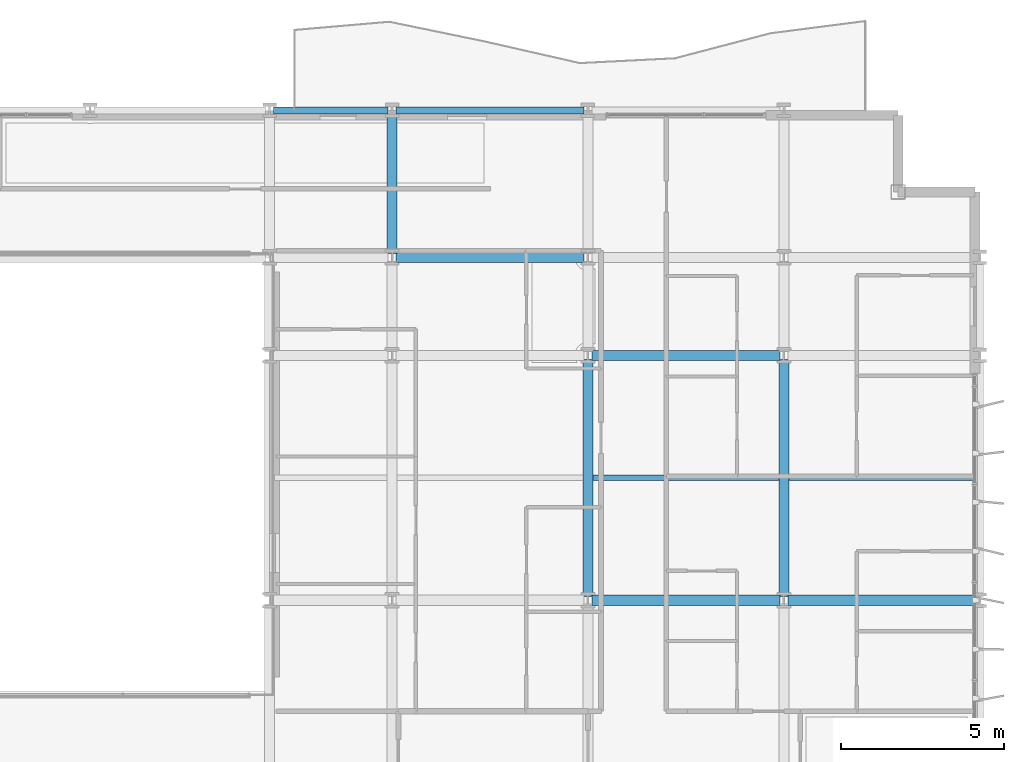
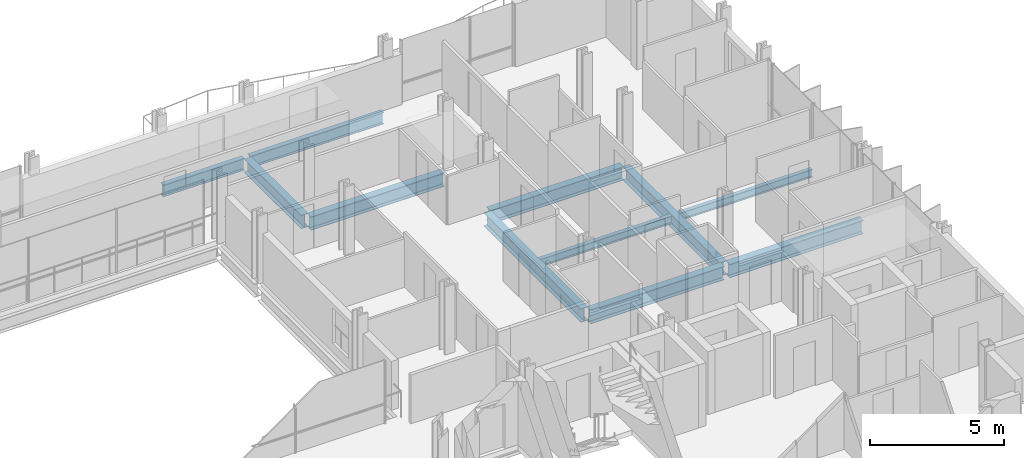
# One storey, part 18 of 38: 11 beams.
"""IFC4 building model written with IfcOpenShell, lengths in metres."""

import ifcopenshell
import ifcopenshell.guid

model = None  # the IFC model being written
_history = None  # IfcOwnerHistory: only IFC2X3 demands one
_inside = {}  # id of a spatial element -> (the spatial element, [elements in it])
_under = {}  # id of a project, library or spatial element -> (it, [spatial elements below it])
_declared = {}  # id of a project -> (the project, [libraries it declares])
_typed = {}  # id of a type object -> (the type object, [elements of that type])
_made_of = {}  # id of a material, layer set ... -> (it, [elements and type objects made of it])


def new_model(schema):
    """Start an empty IFC model of exactly this schema.

    Asked for "IFC4X3", IfcOpenShell would pick the latest addendum, in which some entities
    have other attributes; the version numbers below select the first issue.
    IFC2X3 requires an IfcOwnerHistory on every rooted entity: one is made here for all.
    """
    global model, _history
    if schema == "IFC4X3":
        model = ifcopenshell.file(schema_version=(4, 3, 0, 0))
    else:
        model = ifcopenshell.file(schema=schema)
    _inside.clear()
    _under.clear()
    _declared.clear()
    _typed.clear()
    _made_of.clear()
    _history = None
    if model.schema == "IFC2X3":
        org = make("IfcOrganization", Name="unknown")
        user = make(
            "IfcPersonAndOrganization",
            ThePerson=make("IfcPerson", FamilyName="unknown"),
            TheOrganization=org,
        )
        app = make(
            "IfcApplication",
            ApplicationDeveloper=org,
            Version="unknown",
            ApplicationFullName="unknown",
            ApplicationIdentifier="unknown",
        )
        _history = make(
            "IfcOwnerHistory",
            OwningUser=user,
            OwningApplication=app,
            ChangeAction="ADDED",
            CreationDate=0,
        )
    return model


def make(cls, **values):
    """One entity of the class cls with the attributes given. An attribute that is None is left unset."""
    return model.create_entity(
        cls, **{name: value for name, value in values.items() if value is not None}
    )


def rooted(cls, **values):
    """An entity with a GlobalId (a new one), such as an element, a storey or a relation."""
    return make(cls, GlobalId=ifcopenshell.guid.new(), OwnerHistory=_history, **values)


def si_unit(unit_type, name, prefix=None):
    """IfcSIUnit, for example si_unit("LENGTHUNIT", "METRE", prefix="MILLI")."""
    return make("IfcSIUnit", UnitType=unit_type, Prefix=prefix, Name=name)


def assignment(units):
    """IfcUnitAssignment: the units of a project."""
    return None if units is None else make("IfcUnitAssignment", Units=units)


def point(xyz):
    """IfcCartesianPoint."""
    return None if xyz is None else make("IfcCartesianPoint", Coordinates=xyz)


def direction(xyz):
    """IfcDirection."""
    return None if xyz is None else make("IfcDirection", DirectionRatios=xyz)


def frame(location, z_axis=None, x_axis=None):
    """IfcAxis2Placement3D, a coordinate frame: its origin and axes. An axis left out is left unset."""
    return make(
        "IfcAxis2Placement3D",
        Location=point(location),
        Axis=direction(z_axis),
        RefDirection=direction(x_axis),
    )


def frame_2d(location, x_axis=None):
    """IfcAxis2Placement2D, a coordinate frame in the plane: its origin and x axis."""
    return make(
        "IfcAxis2Placement2D", Location=point(location), RefDirection=direction(x_axis)
    )


def origin():
    """The frame at (0, 0, 0) with its axes left unset."""
    return frame((0.0, 0.0, 0.0))


def origin_2d():
    """The frame at (0, 0) in the plane with its x axis left unset."""
    return frame_2d((0.0, 0.0))


def place(relative_to, where):
    """IfcLocalPlacement: puts the frame where relative to a parent placement (None: the world)."""
    return make(
        "IfcLocalPlacement", PlacementRelTo=relative_to, RelativePlacement=where
    )


def context(
    kind, dimensions, precision=None, world=None, true_north=None, identifier=None
):
    """IfcGeometricRepresentationContext, for example the 3D "Model" context."""
    return make(
        "IfcGeometricRepresentationContext",
        ContextIdentifier=identifier,
        ContextType=kind,
        CoordinateSpaceDimension=dimensions,
        Precision=precision,
        WorldCoordinateSystem=world,
        TrueNorth=true_north,
    )


def subcontext(parent, identifier, kind, view, scale=None):
    """IfcGeometricRepresentationSubContext, for example "Body" below "Model"."""
    return make(
        "IfcGeometricRepresentationSubContext",
        ContextIdentifier=identifier,
        ContextType=kind,
        ParentContext=parent,
        TargetScale=scale,
        TargetView=view,
    )


def project(units=None, contexts=None):
    """IfcProject with its units and contexts."""
    return rooted(
        "IfcProject",
        Name="project",
        RepresentationContexts=contexts,
        UnitsInContext=assignment(units),
    )


def spatial(cls, under=None, at=None, **own):
    """A site, building, storey or space (cls), placed at a placement, below another one or the project."""
    s = rooted(cls, ObjectPlacement=at, **own)
    if under is not None:
        _under.setdefault(under.id(), (under, []))[1].append(s)
    return s


def profile(cls, at=None, kind="AREA", **sizes):
    """A parametric profile (cls). Its sizes go by their IFC names, for example OverallWidth=200.0."""
    return make(cls, ProfileType=kind, Position=at, **sizes)


def i_section(**sizes):
    """IfcIShapeProfileDef."""
    return profile("IfcIShapeProfileDef", **sizes)


def extrude(swept, where, along, depth):
    """IfcExtrudedAreaSolid: the profile swept, set in the frame where, extruded along a direction by depth."""
    return make(
        "IfcExtrudedAreaSolid",
        SweptArea=swept,
        Position=where,
        ExtrudedDirection=direction(along),
        Depth=depth,
    )


def shape(context_of_items, identifier, shape_type, items):
    """IfcShapeRepresentation: the items that make up one representation, for example the "Body"."""
    return make(
        "IfcShapeRepresentation",
        ContextOfItems=context_of_items,
        RepresentationIdentifier=identifier,
        RepresentationType=shape_type,
        Items=items,
    )


def material(Name=None, Category=None):
    """IfcMaterial."""
    return make("IfcMaterial", Name=Name, Category=Category)


def material_profile(
    of_material, cross_section, Name=None, Category=None, Priority=None
):
    """IfcMaterialProfile: a cross section and its material."""
    return make(
        "IfcMaterialProfile",
        Name=Name,
        Material=of_material,
        Profile=cross_section,
        Priority=Priority,
        Category=Category,
    )


def profile_set(profiles, Name=None, composite=None):
    """IfcMaterialProfileSet."""
    return make(
        "IfcMaterialProfileSet",
        Name=Name,
        MaterialProfiles=profiles,
        CompositeProfile=composite,
    )


def made_of(thing, what):
    """Note that an element or type object is made of a material, layer set ...; save() writes the relation."""
    if what is not None:
        _made_of.setdefault(what.id(), (what, []))[1].append(thing)
    return thing


def type_object(cls, material=None, **own):
    """A type object (cls), such as IfcWallType, which elements share."""
    return made_of(rooted(cls, **own), material)


def element(
    cls,
    number,
    at=None,
    inside=None,
    cuts=None,
    type_object=None,
    material=None,
    context=None,
    identifier="Body",
    shape_type=None,
    held_by="IfcProductDefinitionShape",
    body=None,
    shapes=None,
    **own,
):
    """One element of the class cls, such as IfcWall. Its Tag is "e" and its number.

    at: its placement. inside: the storey or other place that contains it. cuts: it is an
    opening in that element (IfcRelVoidsElement). A single representation is given by context,
    identifier, shape_type and body (its items); several are given by shapes. held_by: the class
    of the entity that holds the representations. save() writes the other relations.
    """
    e = rooted(cls, Tag="e%d" % number, ObjectPlacement=at, **own)
    if body is not None:
        shapes = [shape(context, identifier, shape_type, body)]
    if shapes is not None:
        e.Representation = make(held_by, Representations=shapes)
    if inside is not None:
        _inside.setdefault(inside.id(), (inside, []))[1].append(e)
    if cuts is not None:
        rooted(
            "IfcRelVoidsElement", RelatingBuildingElement=cuts, RelatedOpeningElement=e
        )
    if type_object is not None:
        _typed.setdefault(type_object.id(), (type_object, []))[1].append(e)
    return made_of(e, material)


def aggregate(whole, parts):
    """IfcRelAggregates: a whole, such as a stair, and the parts it consists of."""
    return rooted("IfcRelAggregates", RelatingObject=whole, RelatedObjects=parts)


def save(model, path):
    """Write the relations noted so far, then the file.

    IfcRelAggregates (storeys below a building ...), IfcRelContainedInSpatialStructure (elements
    in a storey), IfcRelDefinesByType, IfcRelAssociatesMaterial and IfcRelDeclares: one each for
    every whole, place, type object, material and project.
    """
    for whole, parts in _under.values():
        aggregate(whole, parts)
    for where, things in _inside.values():
        rooted(
            "IfcRelContainedInSpatialStructure",
            RelatedElements=things,
            RelatingStructure=where,
        )
    for kind, things in _typed.values():
        rooted("IfcRelDefinesByType", RelatedObjects=things, RelatingType=kind)
    for what, things in _made_of.values():
        rooted("IfcRelAssociatesMaterial", RelatedObjects=things, RelatingMaterial=what)
    for by, libraries in _declared.values():
        rooted("IfcRelDeclares", RelatingContext=by, RelatedDefinitions=libraries)
    model.write(path)


model = new_model("IFC4")

# Units and contexts
model_context = context("Model", 3, precision=1e-05, world=origin(), true_north=direction((0.0, 1.0)))
body_context = subcontext(model_context, "Body", "Model", "MODEL_VIEW")
ifc_project = project(units=[si_unit("LENGTHUNIT", "METRE"), si_unit("AREAUNIT", "SQUARE_METRE"), si_unit("VOLUMEUNIT", "CUBIC_METRE"), si_unit("PLANEANGLEUNIT", "RADIAN"), si_unit("MASSUNIT", "GRAM", prefix="KILO")], contexts=[model_context])

# Site, building, storey
site_placement = place(None, origin())
site = spatial("IfcSite", under=ifc_project, at=site_placement, CompositionType="ELEMENT")
building_placement = place(site_placement, origin())
building = spatial("IfcBuilding", under=site, at=building_placement, Name="Brevholm Reach", CompositionType="ELEMENT")
storey_placement = place(building_placement, frame((0.0, 0.0, 46.60009765625)))
storey = spatial("IfcBuildingStorey", under=building, at=storey_placement, Name="L12", CompositionType="ELEMENT", Elevation=46.60009765625)

# Beams
ifc_material_1 = material(Name="Structural Steel S355J2", Category="steel")
ifc_material_profile_1 = material_profile(ifc_material_1, i_section(OverallWidth=0.17138671875, OverallDepth=0.35498046875, WebThickness=0.00732421875, FlangeThickness=0.011474609375, FilletRadius=0.01025390625, at=origin_2d()), Name="UKB 356x171x51")
ifc_profile_set_1 = profile_set([ifc_material_profile_1], Name="Structural Steel S355J2")
beam_type_1 = type_object("IfcBeamType", Name="BM-B356", PredefinedType="BEAM", material=ifc_profile_set_1)
beam_1_placement = place(storey_placement, frame((48.153564453125, 19.75, -0.40771484375), z_axis=(1.0, 0.0, 0.0), x_axis=(0.0, 1.0, 0.0)))
element("IfcBeam", 1, at=beam_1_placement, inside=storey, type_object=beam_type_1, Name="L12 Composite Secondary Floor Beam", PredefinedType="BEAM", context=body_context, shape_type="SweptSolid", body=[
    extrude(i_section(OverallWidth=0.17138671875, OverallDepth=0.35498046875, WebThickness=0.00732421875, FlangeThickness=0.011474609375, FilletRadius=0.01025390625, at=origin_2d()), origin(), (0.0, 0.0, 1.0), 5.69287109375),
])
beam_2_placement = place(storey_placement, frame((54.153564453125, 19.75, -0.40771484375), z_axis=(1.0, 0.0, 0.0), x_axis=(0.0, 1.0, 0.0)))
element("IfcBeam", 2, at=beam_2_placement, inside=storey, type_object=beam_type_1, Name="L12 Composite Secondary Floor Beam", PredefinedType="BEAM", context=body_context, shape_type="SweptSolid", body=[
    extrude(i_section(OverallWidth=0.17138671875, OverallDepth=0.35498046875, WebThickness=0.00732421875, FlangeThickness=0.011474609375, FilletRadius=0.01025390625, at=origin_2d()), origin(), (0.0, 0.0, 1.0), 5.740966796875),
])
ifc_material_2 = material(Name="Structural Steel S355J2", Category="steel")
ifc_material_profile_2 = material_profile(ifc_material_2, i_section(OverallWidth=0.210693359375, OverallDepth=0.53955078125, WebThickness=0.01171875, FlangeThickness=0.018798828125, FilletRadius=0.0126953125, at=origin_2d()), Name="UKB 533x210x109")
ifc_profile_set_2 = profile_set([ifc_material_profile_2], Name="Structural Steel S355J2")
beam_type_2 = type_object("IfcBeamType", Name="BM-SP539", PredefinedType="SPANDREL", material=ifc_profile_set_2)
beam_3_placement = place(storey_placement, frame((38.3701171875, 31.0, -0.499755859375), z_axis=(1.0, 0.0, 0.0), x_axis=(0.0, 1.0, 0.0)))
element("IfcBeam", 3, at=beam_3_placement, inside=storey, type_object=beam_type_2, Name="L12 SP-01B Framing Beam", PredefinedType="SPANDREL", context=body_context, shape_type="SweptSolid", body=[
    extrude(i_section(OverallWidth=0.210693359375, OverallDepth=0.53955078125, WebThickness=0.01171875, FlangeThickness=0.018798828125, FilletRadius=0.0126953125, at=origin_2d()), origin(), (0.0, 0.0, 1.0), 3.509765625),
])
beam_4_placement = place(storey_placement, frame((42.1201171875, 31.0, -0.499755859375), z_axis=(1.0, 0.0, 0.0), x_axis=(0.0, 1.0, 0.0)))
element("IfcBeam", 4, at=beam_4_placement, inside=storey, type_object=beam_type_2, Name="L12 SP-01B Framing Beam", PredefinedType="SPANDREL", context=body_context, shape_type="SweptSolid", body=[
    extrude(i_section(OverallWidth=0.210693359375, OverallDepth=0.53955078125, WebThickness=0.01171875, FlangeThickness=0.018798828125, FilletRadius=0.0126953125, at=origin_2d()), origin(), (0.0, 0.0, 1.0), 5.759765625),
])
ifc_material_3 = material(Name="Structural Steel S355J2", Category="steel")
ifc_material_profile_3 = material_profile(ifc_material_3, i_section(OverallWidth=0.30712890625, OverallDepth=0.6201171875, WebThickness=0.01416015625, FlangeThickness=0.023681640625, FilletRadius=0.0166015625, at=origin_2d()), Name="UKB 610x305x179")
ifc_profile_set_3 = profile_set([ifc_material_profile_3], Name="Structural Steel S355J2")
beam_type_3 = type_object("IfcBeamType", Name="BM-UKB610H", PredefinedType="USERDEFINED", material=ifc_profile_set_3)
for number, where, z_axis, x_axis, name in (
    (5, (48.1201171875, 16.0, -0.540283203125), (1.0, 0.0, 0.0), (0.0, 1.0, 0.0), "L12 G-06 Framing Beam"),
    (6, (54.1201171875, 16.0, -0.540283203125), (1.0, 0.0, 0.0), (0.0, 1.0, 0.0), "L12 G-06 Framing Beam"),
    (7, (48.1201171875, 23.5, -0.540283203125), (1.0, 0.0, 0.0), (0.0, 1.0, 0.0), "L12 G-06 Framing Beam"),
    (8, (42.1201171875, 26.5, -0.540283203125), (1.0, 0.0, 0.0), (0.0, 1.0, 0.0), "L12 G-06 Framing Beam"),
):
    element("IfcBeam", number, at=place(storey_placement, frame(where, z_axis=z_axis, x_axis=x_axis)), inside=storey, type_object=beam_type_3, Name=name, ObjectType="GIRDER", PredefinedType="USERDEFINED", context=body_context, shape_type="SweptSolid", body=[
        extrude(i_section(OverallWidth=0.30712890625, OverallDepth=0.6201171875, WebThickness=0.01416015625, FlangeThickness=0.023681640625, FilletRadius=0.0166015625, at=origin_2d()), origin(), (0.0, 0.0, 1.0), 5.759765625),
    ])
beam_5_placement = place(storey_placement, frame((42.0, 26.6201171875, -0.540283203125), z_axis=(0.0, 1.0, 0.0), x_axis=(-1.0, 0.0, 0.0)))
element("IfcBeam", 9, at=beam_5_placement, inside=storey, type_object=beam_type_3, Name="L12 G-06 Framing Beam", ObjectType="GIRDER", PredefinedType="USERDEFINED", context=body_context, shape_type="SweptSolid", body=[
    extrude(i_section(OverallWidth=0.30712890625, OverallDepth=0.6201171875, WebThickness=0.01416015625, FlangeThickness=0.023681640625, FilletRadius=0.0166015625, at=origin_2d()), origin(), (0.0, 0.0, 1.0), 4.259765625),
])
for number, where, z_axis, x_axis, name in (
    (10, (48.0, 16.1201171875, -0.540283203125), (0.0, 1.0, 0.0), (-1.0, 0.0, 0.0), "L12 G-06 Framing Beam"),
    (11, (54.0, 16.1201171875, -0.540283203125), (0.0, 1.0, 0.0), (-1.0, 0.0, 0.0), "L12 G-06 Framing Beam"),
):
    element("IfcBeam", number, at=place(storey_placement, frame(where, z_axis=z_axis, x_axis=x_axis)), inside=storey, type_object=beam_type_3, Name=name, ObjectType="GIRDER", PredefinedType="USERDEFINED", context=body_context, shape_type="SweptSolid", body=[
        extrude(i_section(OverallWidth=0.30712890625, OverallDepth=0.6201171875, WebThickness=0.01416015625, FlangeThickness=0.023681640625, FilletRadius=0.0166015625, at=origin_2d()), origin(), (0.0, 0.0, 1.0), 7.259765625),
    ])

save(model, "model.ifc")
